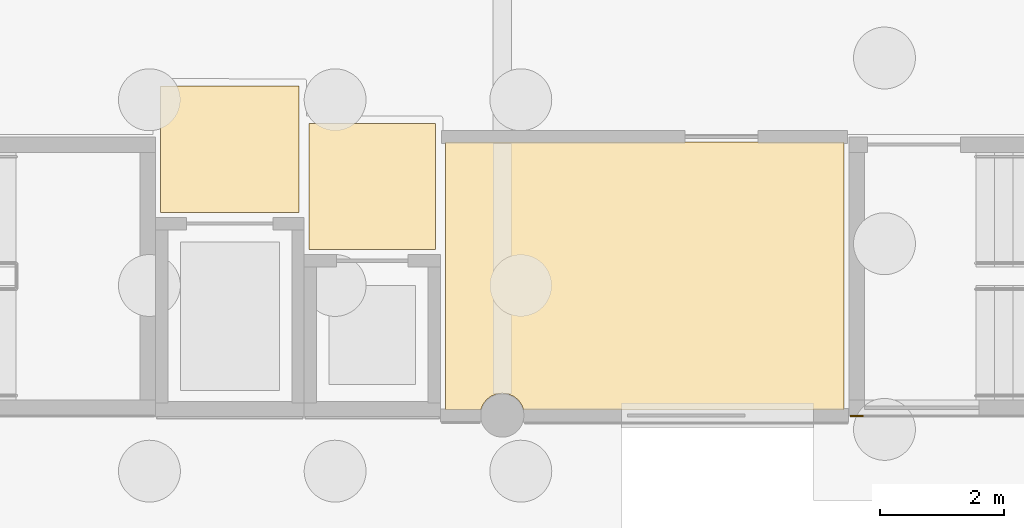
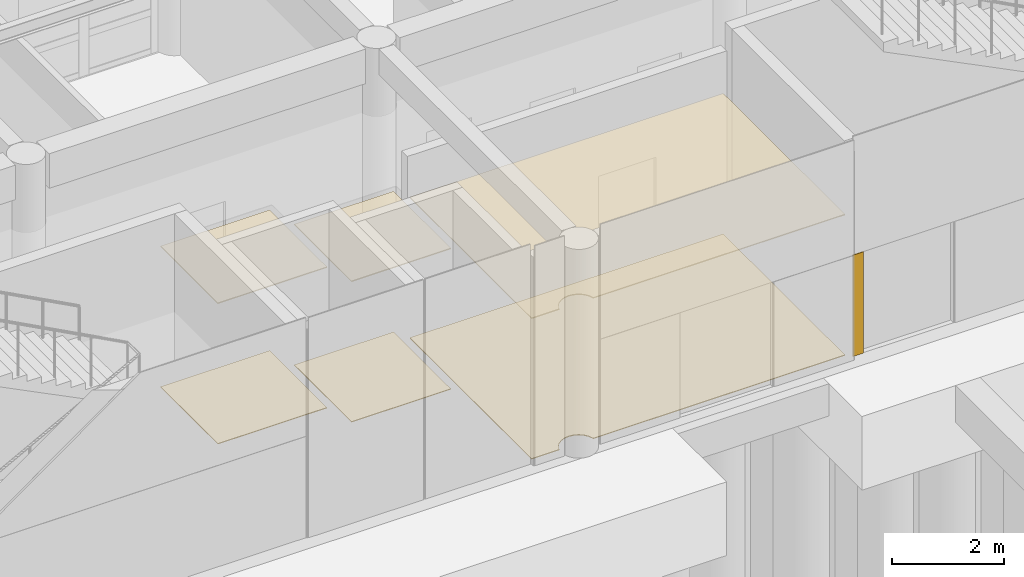
# One storey, part 96 of 103: 7 coverings.
"""IFC4 building model written with IfcOpenShell, lengths in metres."""

from ifc_helpers import new_model, si_unit, direction, frame, origin, origin_2d, place, context, subcontext, project, spatial, polyline, rectangle, outline, extrude, material, layer, layer_set, type_object, element, save


model = new_model("IFC4")

# Units and contexts
model_context = context("Model", 3, precision=1e-05, world=origin(), true_north=direction((0.0, 1.0)))
body_context = subcontext(model_context, "Body", "Model", "MODEL_VIEW")
ifc_project = project(units=[si_unit("LENGTHUNIT", "METRE"), si_unit("AREAUNIT", "SQUARE_METRE"), si_unit("VOLUMEUNIT", "CUBIC_METRE"), si_unit("PLANEANGLEUNIT", "RADIAN"), si_unit("MASSUNIT", "GRAM", prefix="KILO")], contexts=[model_context])

# Site, building, storey
site_placement = place(None, origin())
site = spatial("IfcSite", under=ifc_project, at=site_placement, CompositionType="ELEMENT")
building_placement = place(site_placement, origin())
building = spatial("IfcBuilding", under=site, at=building_placement, Name="Namkhue Oval Health Centre", CompositionType="ELEMENT")
storey_placement = place(building_placement, origin())
storey = spatial("IfcBuildingStorey", under=building, at=storey_placement, Name="L00", CompositionType="ELEMENT", Elevation=0.0)

# Coverings
ifc_material_1 = material(Name="Acoustic mineral-fibre cleanroom ceiling", Category="gypsum")
ifc_layer_1 = layer(ifc_material_1, 0.02001953125)
ifc_layer_set_1 = layer_set([ifc_layer_1], Name="Acoustic mineral-fibre cleanroom ceiling")
covering_type_1 = type_object("IfcCoveringType", Name="ACOUSTIC CLEANROOM CEILING 20", PredefinedType="CEILING", material=ifc_layer_set_1)
covering_1_placement = place(storey_placement, frame((0.0, 0.0, 3.050048828125)))
element("IfcCovering", 1, at=covering_1_placement, inside=storey, type_object=covering_type_1, Name="Acoustic Ceiling L00-LL3 Lift Lobby LF-03", PredefinedType="CEILING", context=body_context, shape_type="SweptSolid", body=[
    extrude(outline(polyline([(102.47998046875, 93.280029296875), (102.47998046875, 95.320068359375), (104.719970703125, 95.320068359375), (104.719970703125, 93.280029296875), (102.47998046875, 93.280029296875)])), origin(), (0.0, 0.0, 1.0), 0.02001953125),
])
covering_2_placement = place(storey_placement, frame((0.0, 0.0, 3.050048828125)))
element("IfcCovering", 2, at=covering_2_placement, inside=storey, type_object=covering_type_1, Name="Acoustic Ceiling L00-LL4 Lift Lobby LF-04", PredefinedType="CEILING", context=body_context, shape_type="SweptSolid", body=[
    extrude(outline(polyline([(104.8798828125, 92.679931640625), (104.8798828125, 94.719970703125), (106.919921875, 94.719970703125), (106.919921875, 92.679931640625), (104.8798828125, 92.679931640625)])), origin(), (0.0, 0.0, 1.0), 0.02001953125),
])
covering_3_placement = place(storey_placement, frame((0.0, 0.0, 3.050048828125)))
element("IfcCovering", 3, at=covering_3_placement, inside=storey, type_object=covering_type_1, Name="Acoustic Ceiling L00-309 Refraction Optometry Room", PredefinedType="CEILING", context=body_context, shape_type="SweptSolid", body=[
    extrude(outline(polyline([(108.348876953125, 90.0849609375), (108.311767578125, 90.179931640625), (108.254638671875, 90.254638671875), (108.179931640625, 90.311767578125), (108.09326171875, 90.34765625), (108.0, 90.360107421875), (107.90673828125, 90.34765625), (107.820068359375, 90.311767578125), (107.745361328125, 90.254638671875), (107.688232421875, 90.179931640625), (107.651123046875, 90.0849609375), (107.080078125, 90.0849609375), (107.080078125, 94.419921875), (113.52001953125, 94.419921875), (113.52001953125, 90.0849609375), (108.348876953125, 90.0849609375)])), origin(), (0.0, 0.0, 1.0), 0.02001953125),
])
ifc_material_2 = material(Name="Homogeneous anti-bacterial clinical vinyl flooring", Category="plastic")
ifc_layer_2 = layer(ifc_material_2, 0.014892578125)
ifc_layer_set_2 = layer_set([ifc_layer_2], Name="Homogeneous anti-bacterial clinical vinyl flooring")
covering_type_2 = type_object("IfcCoveringType", Name="CLINICAL ANTIBACTERIAL VINYL FLOORING 15", PredefinedType="FLOORING", material=ifc_layer_set_2)
covering_4_placement = place(storey_placement, origin())
element("IfcCovering", 4, at=covering_4_placement, inside=storey, type_object=covering_type_2, Name="Clinical Flooring L00-LL3 Lift Lobby LF-03", PredefinedType="FLOORING", context=body_context, shape_type="SweptSolid", body=[
    extrude(outline(polyline([(102.47998046875, 93.280029296875), (102.47998046875, 95.320068359375), (104.719970703125, 95.320068359375), (104.719970703125, 93.280029296875), (102.47998046875, 93.280029296875)])), origin(), (0.0, 0.0, 1.0), 0.014892578125),
])
covering_5_placement = place(storey_placement, origin())
element("IfcCovering", 5, at=covering_5_placement, inside=storey, type_object=covering_type_2, Name="Clinical Flooring L00-LL4 Lift Lobby LF-04", PredefinedType="FLOORING", context=body_context, shape_type="SweptSolid", body=[
    extrude(outline(polyline([(104.8798828125, 92.679931640625), (104.8798828125, 94.719970703125), (106.919921875, 94.719970703125), (106.919921875, 92.679931640625), (104.8798828125, 92.679931640625)])), origin(), (0.0, 0.0, 1.0), 0.014892578125),
])
covering_6_placement = place(storey_placement, origin())
element("IfcCovering", 6, at=covering_6_placement, inside=storey, type_object=covering_type_2, Name="Clinical Flooring L00-309 Refraction Optometry Room", PredefinedType="FLOORING", context=body_context, shape_type="SweptSolid", body=[
    extrude(outline(polyline([(108.348876953125, 90.0849609375), (108.311767578125, 90.179931640625), (108.254638671875, 90.254638671875), (108.179931640625, 90.311767578125), (108.09326171875, 90.34765625), (108.0, 90.360107421875), (107.90673828125, 90.34765625), (107.820068359375, 90.311767578125), (107.745361328125, 90.254638671875), (107.688232421875, 90.179931640625), (107.651123046875, 90.0849609375), (107.080078125, 90.0849609375), (107.080078125, 94.419921875), (113.52001953125, 94.419921875), (113.52001953125, 90.0849609375), (108.348876953125, 90.0849609375)])), origin(), (0.0, 0.0, 1.0), 0.014892578125),
])
ifc_material_3 = material(Name="White glass-fibre reinforced concrete GRC rainscreen cladding", Category="concrete")
ifc_layer_3 = layer(ifc_material_3, 0.02490234375)
ifc_layer_set_3 = layer_set([ifc_layer_3], Name="White glass-fibre reinforced concrete GRC rainscreen cladding")
covering_type_3 = type_object("IfcCoveringType", Name="WHITE GRC RAINSCREEN CLADDING 25", PredefinedType="CLADDING", material=ifc_layer_set_3)
covering_7_placement = place(storey_placement, frame((113.7275390625, 89.988037109375, 0.01025390625), z_axis=(0.0, 0.0, 1.0), x_axis=(1.0, 0.0, 0.0)))
element("IfcCovering", 7, at=covering_7_placement, inside=storey, type_object=covering_type_3, Name="Core SC-06 L00 Core S White GRC Cladding 2", PredefinedType="CLADDING", context=body_context, shape_type="SweptSolid", body=[
    extrude(rectangle(XDim=0.215087890625, YDim=0.02490234375, at=origin_2d()), origin(), (0.0, 0.0, 1.0), 2.199951171875),
])

save(model, "model.ifc")
